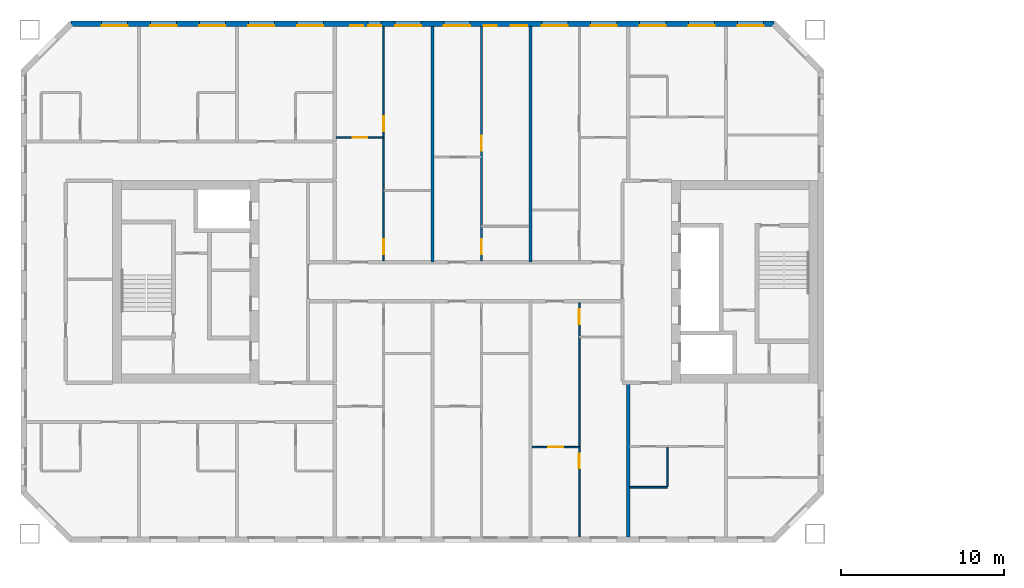
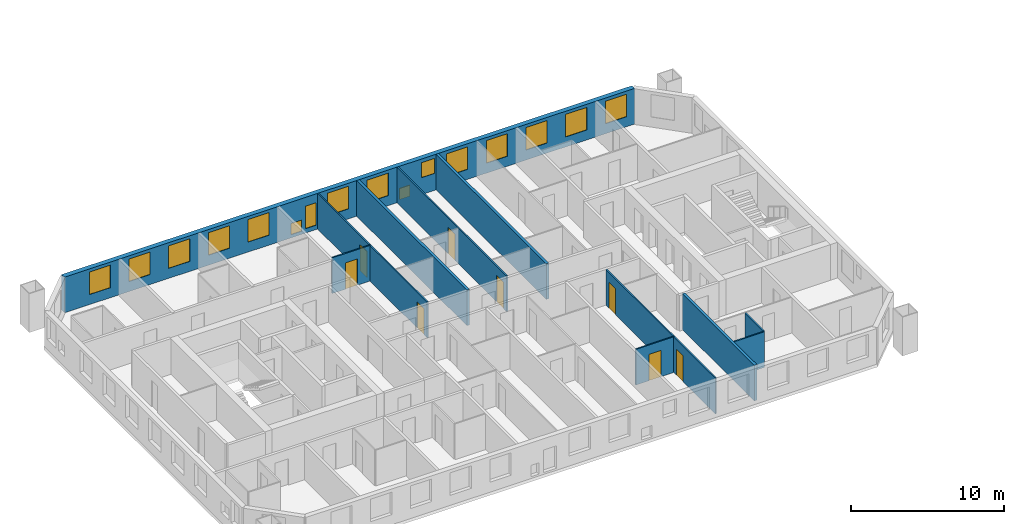
# One storey, part 6 of 16: 16 windows, 11 walls, 8 doors, 24 openings.
"""IFC4 building model written with IfcOpenShell, lengths in metres."""

from ifc_helpers import new_model, si_unit, direction, frame, frame_2d, origin, place, context, subcontext, project, spatial, rectangle, extrude, material, layer, layer_set, type_object, element, fill, save


model = new_model("IFC4")

# Units and contexts
model_context = context("Model", 3, precision=1e-05, world=origin(), true_north=direction((0.0, 1.0)))
body_context = subcontext(model_context, "Body", "Model", "MODEL_VIEW")
ifc_project = project(units=[si_unit("LENGTHUNIT", "METRE"), si_unit("AREAUNIT", "SQUARE_METRE"), si_unit("VOLUMEUNIT", "CUBIC_METRE"), si_unit("PLANEANGLEUNIT", "RADIAN"), si_unit("MASSUNIT", "GRAM", prefix="KILO")], contexts=[model_context])

# Site, building, storey
site_placement = place(None, origin())
site = spatial("IfcSite", under=ifc_project, at=site_placement, CompositionType="ELEMENT")
building_placement = place(site_placement, origin())
building = spatial("IfcBuilding", under=site, at=building_placement, Name="Tuart Gate Housing", CompositionType="ELEMENT")
storey_placement = place(building_placement, frame((0.0, 0.0, 136.10009765625)))
storey = spatial("IfcBuildingStorey", under=building, at=storey_placement, Name="L38", CompositionType="ELEMENT", Elevation=136.10009765625)

# Wall, openings, windows
ifc_material_1 = material(Name="Brick", Category="masonry")
ifc_layer_1 = layer(ifc_material_1, 0.360107421875)
ifc_layer_set_1 = layer_set([ifc_layer_1], Name="Brick pier and spandrel wall 360")
wall_type_1 = type_object("IfcWallType", Name="Brick pier and spandrel wall 360", PredefinedType="STANDARD", material=ifc_layer_set_1)
wall_1_placement = place(storey_placement, frame((72.92529296875, 85.820068359375, 0.0), z_axis=(0.0, 0.0, 1.0), x_axis=(-1.0, 0.0, 0.0)))
wall_1 = element("IfcWall", 1, at=wall_1_placement, inside=storey, type_object=wall_type_1, Name="External wall A-N L38", PredefinedType="STANDARD", context=body_context, shape_type="SweptSolid", body=[
    extrude(rectangle(XDim=43.100830078125, YDim=0.360107421875, at=frame_2d((21.55029296875, 0.0))), origin(), (0.0, 0.0, 1.0), 2.849853515625),
])
opening_1_placement = place(wall_1_placement, frame((0.62548828125, 0.0, 0.800048828125)))
opening_1 = element("IfcOpeningElement", 2, at=opening_1_placement, cuts=wall_1, Name="Opening W1", PredefinedType="OPENING", context=body_context, shape_type="SweptSolid", body=[
    extrude(rectangle(XDim=1.60009765625, YDim=1.800048828125, at=frame_2d((0.800048828125, 0.89990234375))), frame((0.0, 0.18994140625, 0.0), z_axis=(0.0, -1.0, 0.0), x_axis=(1.0, 0.0, 0.0)), (0.0, 0.0, 1.0), 0.380126953125),
])
opening_2_placement = place(wall_1_placement, frame((3.62548828125, 0.0, 0.800048828125)))
opening_2 = element("IfcOpeningElement", 3, at=opening_2_placement, cuts=wall_1, Name="Opening W1", PredefinedType="OPENING", context=body_context, shape_type="SweptSolid", body=[
    extrude(rectangle(XDim=1.60009765625, YDim=1.800048828125, at=frame_2d((0.800048828125, 0.89990234375))), frame((0.0, 0.18994140625, 0.0), z_axis=(0.0, -1.0, 0.0), x_axis=(1.0, 0.0, 0.0)), (0.0, 0.0, 1.0), 0.380126953125),
])
opening_3_placement = place(wall_1_placement, frame((6.62548828125, 0.0, 0.800048828125)))
opening_3 = element("IfcOpeningElement", 4, at=opening_3_placement, cuts=wall_1, Name="Opening W1", PredefinedType="OPENING", context=body_context, shape_type="SweptSolid", body=[
    extrude(rectangle(XDim=1.60009765625, YDim=1.800048828125, at=frame_2d((0.800048828125, 0.89990234375))), frame((0.0, 0.18994140625, 0.0), z_axis=(0.0, -1.0, 0.0), x_axis=(1.0, 0.0, 0.0)), (0.0, 0.0, 1.0), 0.380126953125),
])
opening_4_placement = place(wall_1_placement, frame((9.62548828125, 0.0, 0.800048828125)))
opening_4 = element("IfcOpeningElement", 5, at=opening_4_placement, cuts=wall_1, Name="Opening W1", PredefinedType="OPENING", context=body_context, shape_type="SweptSolid", body=[
    extrude(rectangle(XDim=1.60009765625, YDim=1.800048828125, at=frame_2d((0.800048828125, 0.89990234375))), frame((0.0, 0.18994140625, 0.0), z_axis=(0.0, -1.0, 0.0), x_axis=(1.0, 0.0, 0.0)), (0.0, 0.0, 1.0), 0.380126953125),
])
opening_5_placement = place(wall_1_placement, frame((12.62548828125, 0.0, 0.800048828125)))
opening_5 = element("IfcOpeningElement", 6, at=opening_5_placement, cuts=wall_1, Name="Opening W1", PredefinedType="OPENING", context=body_context, shape_type="SweptSolid", body=[
    extrude(rectangle(XDim=1.60009765625, YDim=1.800048828125, at=frame_2d((0.800048828125, 0.89990234375))), frame((0.0, 0.18994140625, 0.0), z_axis=(0.0, -1.0, 0.0), x_axis=(1.0, 0.0, 0.0)), (0.0, 0.0, 1.0), 0.380126953125),
])
opening_6_placement = place(wall_1_placement, frame((15.12548828125, 0.0, 1.35009765625)))
opening_6 = element("IfcOpeningElement", 7, at=opening_6_placement, cuts=wall_1, Name="Opening W1O", PredefinedType="OPENING", context=body_context, shape_type="SweptSolid", body=[
    extrude(rectangle(XDim=1.0, YDim=1.199951171875, at=frame_2d((0.5, 0.60009765625))), frame((0.0, 0.18994140625, 0.0), z_axis=(0.0, -1.0, 0.0), x_axis=(1.0, 0.0, 0.0)), (0.0, 0.0, 1.0), 0.380126953125),
])
opening_7_placement = place(wall_1_placement, frame((18.62548828125, 0.0, 0.800048828125)))
opening_7 = element("IfcOpeningElement", 8, at=opening_7_placement, cuts=wall_1, Name="Opening W1", PredefinedType="OPENING", context=body_context, shape_type="SweptSolid", body=[
    extrude(rectangle(XDim=1.60009765625, YDim=1.800048828125, at=frame_2d((0.800048828125, 0.89990234375))), frame((0.0, 0.18994140625, 0.0), z_axis=(0.0, -1.0, 0.0), x_axis=(1.0, 0.0, 0.0)), (0.0, 0.0, 1.0), 0.380126953125),
])
opening_8_placement = place(wall_1_placement, frame((21.62548828125, 0.0, 0.800048828125)))
opening_8 = element("IfcOpeningElement", 9, at=opening_8_placement, cuts=wall_1, Name="Opening W1", PredefinedType="OPENING", context=body_context, shape_type="SweptSolid", body=[
    extrude(rectangle(XDim=1.60009765625, YDim=1.800048828125, at=frame_2d((0.800048828125, 0.89990234375))), frame((0.0, 0.18994140625, 0.0), z_axis=(0.0, -1.0, 0.0), x_axis=(1.0, 0.0, 0.0)), (0.0, 0.0, 1.0), 0.380126953125),
])
opening_9_placement = place(wall_1_placement, frame((24.075439453125, 0.0, 0.35009765625)))
opening_9 = element("IfcOpeningElement", 10, at=opening_9_placement, cuts=wall_1, Name="Opening W1D", PredefinedType="OPENING", context=body_context, shape_type="SweptSolid", body=[
    extrude(rectangle(XDim=0.800048828125, YDim=1.800048828125, at=frame_2d((0.39990234375, 0.89990234375))), frame((0.0, 0.18994140625, 0.0), z_axis=(0.0, -1.0, 0.0), x_axis=(1.0, 0.0, 0.0)), (0.0, 0.0, 1.0), 0.380126953125),
])
opening_10_placement = place(wall_1_placement, frame((27.62548828125, 0.0, 0.800048828125)))
opening_10 = element("IfcOpeningElement", 11, at=opening_10_placement, cuts=wall_1, Name="Opening W1", PredefinedType="OPENING", context=body_context, shape_type="SweptSolid", body=[
    extrude(rectangle(XDim=1.60009765625, YDim=1.800048828125, at=frame_2d((0.800048828125, 0.89990234375))), frame((0.0, 0.18994140625, 0.0), z_axis=(0.0, -1.0, 0.0), x_axis=(1.0, 0.0, 0.0)), (0.0, 0.0, 1.0), 0.380126953125),
])
opening_11_placement = place(wall_1_placement, frame((30.62548828125, 0.0, 0.800048828125)))
opening_11 = element("IfcOpeningElement", 12, at=opening_11_placement, cuts=wall_1, Name="Opening W1", PredefinedType="OPENING", context=body_context, shape_type="SweptSolid", body=[
    extrude(rectangle(XDim=1.60009765625, YDim=1.800048828125, at=frame_2d((0.800048828125, 0.89990234375))), frame((0.0, 0.18994140625, 0.0), z_axis=(0.0, -1.0, 0.0), x_axis=(1.0, 0.0, 0.0)), (0.0, 0.0, 1.0), 0.380126953125),
])
opening_12_placement = place(wall_1_placement, frame((33.62548828125, 0.0, 0.800048828125)))
opening_12 = element("IfcOpeningElement", 13, at=opening_12_placement, cuts=wall_1, Name="Opening W1", PredefinedType="OPENING", context=body_context, shape_type="SweptSolid", body=[
    extrude(rectangle(XDim=1.60009765625, YDim=1.800048828125, at=frame_2d((0.800048828125, 0.89990234375))), frame((0.0, 0.18994140625, 0.0), z_axis=(0.0, -1.0, 0.0), x_axis=(1.0, 0.0, 0.0)), (0.0, 0.0, 1.0), 0.380126953125),
])
opening_13_placement = place(wall_1_placement, frame((36.62548828125, 0.0, 0.800048828125)))
opening_13 = element("IfcOpeningElement", 14, at=opening_13_placement, cuts=wall_1, Name="Opening W1", PredefinedType="OPENING", context=body_context, shape_type="SweptSolid", body=[
    extrude(rectangle(XDim=1.60009765625, YDim=1.800048828125, at=frame_2d((0.800048828125, 0.89990234375))), frame((0.0, 0.18994140625, 0.0), z_axis=(0.0, -1.0, 0.0), x_axis=(1.0, 0.0, 0.0)), (0.0, 0.0, 1.0), 0.380126953125),
])
opening_14_placement = place(wall_1_placement, frame((39.62548828125, 0.0, 0.800048828125)))
opening_14 = element("IfcOpeningElement", 15, at=opening_14_placement, cuts=wall_1, Name="Opening W1", PredefinedType="OPENING", context=body_context, shape_type="SweptSolid", body=[
    extrude(rectangle(XDim=1.60009765625, YDim=1.800048828125, at=frame_2d((0.800048828125, 0.89990234375))), frame((0.0, 0.18994140625, 0.0), z_axis=(0.0, -1.0, 0.0), x_axis=(1.0, 0.0, 0.0)), (0.0, 0.0, 1.0), 0.380126953125),
])
opening_15_placement = place(wall_1_placement, frame((16.975341796875, 0.0, 0.14990234375)))
opening_15 = element("IfcOpeningElement", 16, at=opening_15_placement, cuts=wall_1, Name="Opening W1V", PredefinedType="OPENING", context=body_context, shape_type="SweptSolid", body=[
    extrude(rectangle(XDim=0.800048828125, YDim=0.89990234375, at=frame_2d((0.39990234375, 0.449951171875))), frame((0.0, 0.18994140625, 0.0), z_axis=(0.0, -1.0, 0.0), x_axis=(1.0, 0.0, 0.0)), (0.0, 0.0, 1.0), 0.380126953125),
])
opening_16_placement = place(wall_1_placement, frame((25.17529296875, 0.0, 0.25)))
opening_16 = element("IfcOpeningElement", 17, at=opening_16_placement, cuts=wall_1, Name="Opening W1V", PredefinedType="OPENING", context=body_context, shape_type="SweptSolid", body=[
    extrude(rectangle(XDim=0.800048828125, YDim=0.89990234375, at=frame_2d((0.39990234375, 0.449951171875))), frame((0.0, 0.18994140625, 0.0), z_axis=(0.0, -1.0, 0.0), x_axis=(1.0, 0.0, 0.0)), (0.0, 0.0, 1.0), 0.380126953125),
])
ifc_material_2 = material(Name="Aluminium frame with clear glass", Category="aluminium")
window_type_1 = type_object("IfcWindowType", Name="Punched window 1000 x 1200", PartitioningType="SINGLE_PANEL", PredefinedType="WINDOW", material=ifc_material_2)
window_1_placement = place(opening_6_placement, origin())
window_1 = element("IfcWindow", 18, at=window_1_placement, inside=storey, type_object=window_type_1, Name="Window W1O", OverallHeight=1.199951171875, OverallWidth=1.0, PartitioningType="SINGLE_PANEL", PredefinedType="WINDOW", context=body_context, shape_type="SweptSolid", body=[
    extrude(rectangle(XDim=1.0, YDim=1.199951171875, at=frame_2d((0.5, 0.60009765625))), frame((0.0, 0.150146484375, 0.0), z_axis=(0.0, -1.0, 0.0), x_axis=(1.0, 0.0, 0.0)), (0.0, 0.0, 1.0), 0.06005859375),
])
fill(opening_6, window_1)
ifc_material_3 = material(Name="Aluminium frame with clear glass", Category="aluminium")
window_type_2 = type_object("IfcWindowType", Name="Punched window 1600 x 1800", PartitioningType="SINGLE_PANEL", PredefinedType="WINDOW", material=ifc_material_3)
window_2_placement = place(opening_1_placement, origin())
window_2 = element("IfcWindow", 19, at=window_2_placement, inside=storey, type_object=window_type_2, Name="Window W1", OverallHeight=1.800048828125, OverallWidth=1.60009765625, PartitioningType="SINGLE_PANEL", PredefinedType="WINDOW", context=body_context, shape_type="SweptSolid", body=[
    extrude(rectangle(XDim=1.60009765625, YDim=1.800048828125, at=frame_2d((0.800048828125, 0.89990234375))), frame((0.0, 0.150146484375, 0.0), z_axis=(0.0, -1.0, 0.0), x_axis=(1.0, 0.0, 0.0)), (0.0, 0.0, 1.0), 0.06005859375),
])
fill(opening_1, window_2)
window_3_placement = place(opening_2_placement, origin())
window_3 = element("IfcWindow", 20, at=window_3_placement, inside=storey, type_object=window_type_2, Name="Window W1", OverallHeight=1.800048828125, OverallWidth=1.60009765625, PartitioningType="SINGLE_PANEL", PredefinedType="WINDOW", context=body_context, shape_type="SweptSolid", body=[
    extrude(rectangle(XDim=1.60009765625, YDim=1.800048828125, at=frame_2d((0.800048828125, 0.89990234375))), frame((0.0, 0.150146484375, 0.0), z_axis=(0.0, -1.0, 0.0), x_axis=(1.0, 0.0, 0.0)), (0.0, 0.0, 1.0), 0.06005859375),
])
fill(opening_2, window_3)
window_4_placement = place(opening_3_placement, origin())
window_4 = element("IfcWindow", 21, at=window_4_placement, inside=storey, type_object=window_type_2, Name="Window W1", OverallHeight=1.800048828125, OverallWidth=1.60009765625, PartitioningType="SINGLE_PANEL", PredefinedType="WINDOW", context=body_context, shape_type="SweptSolid", body=[
    extrude(rectangle(XDim=1.60009765625, YDim=1.800048828125, at=frame_2d((0.800048828125, 0.89990234375))), frame((0.0, 0.150146484375, 0.0), z_axis=(0.0, -1.0, 0.0), x_axis=(1.0, 0.0, 0.0)), (0.0, 0.0, 1.0), 0.06005859375),
])
fill(opening_3, window_4)
window_5_placement = place(opening_4_placement, origin())
window_5 = element("IfcWindow", 22, at=window_5_placement, inside=storey, type_object=window_type_2, Name="Window W1", OverallHeight=1.800048828125, OverallWidth=1.60009765625, PartitioningType="SINGLE_PANEL", PredefinedType="WINDOW", context=body_context, shape_type="SweptSolid", body=[
    extrude(rectangle(XDim=1.60009765625, YDim=1.800048828125, at=frame_2d((0.800048828125, 0.89990234375))), frame((0.0, 0.150146484375, 0.0), z_axis=(0.0, -1.0, 0.0), x_axis=(1.0, 0.0, 0.0)), (0.0, 0.0, 1.0), 0.06005859375),
])
fill(opening_4, window_5)
window_6_placement = place(opening_5_placement, origin())
window_6 = element("IfcWindow", 23, at=window_6_placement, inside=storey, type_object=window_type_2, Name="Window W1", OverallHeight=1.800048828125, OverallWidth=1.60009765625, PartitioningType="SINGLE_PANEL", PredefinedType="WINDOW", context=body_context, shape_type="SweptSolid", body=[
    extrude(rectangle(XDim=1.60009765625, YDim=1.800048828125, at=frame_2d((0.800048828125, 0.89990234375))), frame((0.0, 0.150146484375, 0.0), z_axis=(0.0, -1.0, 0.0), x_axis=(1.0, 0.0, 0.0)), (0.0, 0.0, 1.0), 0.06005859375),
])
fill(opening_5, window_6)
window_7_placement = place(opening_7_placement, origin())
window_7 = element("IfcWindow", 24, at=window_7_placement, inside=storey, type_object=window_type_2, Name="Window W1", OverallHeight=1.800048828125, OverallWidth=1.60009765625, PartitioningType="SINGLE_PANEL", PredefinedType="WINDOW", context=body_context, shape_type="SweptSolid", body=[
    extrude(rectangle(XDim=1.60009765625, YDim=1.800048828125, at=frame_2d((0.800048828125, 0.89990234375))), frame((0.0, 0.150146484375, 0.0), z_axis=(0.0, -1.0, 0.0), x_axis=(1.0, 0.0, 0.0)), (0.0, 0.0, 1.0), 0.06005859375),
])
fill(opening_7, window_7)
window_8_placement = place(opening_8_placement, origin())
window_8 = element("IfcWindow", 25, at=window_8_placement, inside=storey, type_object=window_type_2, Name="Window W1", OverallHeight=1.800048828125, OverallWidth=1.60009765625, PartitioningType="SINGLE_PANEL", PredefinedType="WINDOW", context=body_context, shape_type="SweptSolid", body=[
    extrude(rectangle(XDim=1.60009765625, YDim=1.800048828125, at=frame_2d((0.800048828125, 0.89990234375))), frame((0.0, 0.150146484375, 0.0), z_axis=(0.0, -1.0, 0.0), x_axis=(1.0, 0.0, 0.0)), (0.0, 0.0, 1.0), 0.06005859375),
])
fill(opening_8, window_8)
window_9_placement = place(opening_10_placement, origin())
window_9 = element("IfcWindow", 26, at=window_9_placement, inside=storey, type_object=window_type_2, Name="Window W1", OverallHeight=1.800048828125, OverallWidth=1.60009765625, PartitioningType="SINGLE_PANEL", PredefinedType="WINDOW", context=body_context, shape_type="SweptSolid", body=[
    extrude(rectangle(XDim=1.60009765625, YDim=1.800048828125, at=frame_2d((0.800048828125, 0.89990234375))), frame((0.0, 0.150146484375, 0.0), z_axis=(0.0, -1.0, 0.0), x_axis=(1.0, 0.0, 0.0)), (0.0, 0.0, 1.0), 0.06005859375),
])
fill(opening_10, window_9)
window_10_placement = place(opening_11_placement, origin())
window_10 = element("IfcWindow", 27, at=window_10_placement, inside=storey, type_object=window_type_2, Name="Window W1", OverallHeight=1.800048828125, OverallWidth=1.60009765625, PartitioningType="SINGLE_PANEL", PredefinedType="WINDOW", context=body_context, shape_type="SweptSolid", body=[
    extrude(rectangle(XDim=1.60009765625, YDim=1.800048828125, at=frame_2d((0.800048828125, 0.89990234375))), frame((0.0, 0.150146484375, 0.0), z_axis=(0.0, -1.0, 0.0), x_axis=(1.0, 0.0, 0.0)), (0.0, 0.0, 1.0), 0.06005859375),
])
fill(opening_11, window_10)
window_11_placement = place(opening_12_placement, origin())
window_11 = element("IfcWindow", 28, at=window_11_placement, inside=storey, type_object=window_type_2, Name="Window W1", OverallHeight=1.800048828125, OverallWidth=1.60009765625, PartitioningType="SINGLE_PANEL", PredefinedType="WINDOW", context=body_context, shape_type="SweptSolid", body=[
    extrude(rectangle(XDim=1.60009765625, YDim=1.800048828125, at=frame_2d((0.800048828125, 0.89990234375))), frame((0.0, 0.150146484375, 0.0), z_axis=(0.0, -1.0, 0.0), x_axis=(1.0, 0.0, 0.0)), (0.0, 0.0, 1.0), 0.06005859375),
])
fill(opening_12, window_11)
window_12_placement = place(opening_13_placement, origin())
window_12 = element("IfcWindow", 29, at=window_12_placement, inside=storey, type_object=window_type_2, Name="Window W1", OverallHeight=1.800048828125, OverallWidth=1.60009765625, PartitioningType="SINGLE_PANEL", PredefinedType="WINDOW", context=body_context, shape_type="SweptSolid", body=[
    extrude(rectangle(XDim=1.60009765625, YDim=1.800048828125, at=frame_2d((0.800048828125, 0.89990234375))), frame((0.0, 0.150146484375, 0.0), z_axis=(0.0, -1.0, 0.0), x_axis=(1.0, 0.0, 0.0)), (0.0, 0.0, 1.0), 0.06005859375),
])
fill(opening_13, window_12)
window_13_placement = place(opening_14_placement, origin())
window_13 = element("IfcWindow", 30, at=window_13_placement, inside=storey, type_object=window_type_2, Name="Window W1", OverallHeight=1.800048828125, OverallWidth=1.60009765625, PartitioningType="SINGLE_PANEL", PredefinedType="WINDOW", context=body_context, shape_type="SweptSolid", body=[
    extrude(rectangle(XDim=1.60009765625, YDim=1.800048828125, at=frame_2d((0.800048828125, 0.89990234375))), frame((0.0, 0.150146484375, 0.0), z_axis=(0.0, -1.0, 0.0), x_axis=(1.0, 0.0, 0.0)), (0.0, 0.0, 1.0), 0.06005859375),
])
fill(opening_14, window_13)
ifc_material_4 = material(Name="Aluminium frame with clear glass", Category="aluminium")
window_type_3 = type_object("IfcWindowType", Name="Punched window 800 x 1800", PartitioningType="SINGLE_PANEL", PredefinedType="WINDOW", material=ifc_material_4)
window_14_placement = place(opening_9_placement, origin())
window_14 = element("IfcWindow", 31, at=window_14_placement, inside=storey, type_object=window_type_3, Name="Window W1D", OverallHeight=1.800048828125, OverallWidth=0.800048828125, PartitioningType="SINGLE_PANEL", PredefinedType="WINDOW", context=body_context, shape_type="SweptSolid", body=[
    extrude(rectangle(XDim=0.800048828125, YDim=1.800048828125, at=frame_2d((0.39990234375, 0.89990234375))), frame((0.0, 0.150146484375, 0.0), z_axis=(0.0, -1.0, 0.0), x_axis=(1.0, 0.0, 0.0)), (0.0, 0.0, 1.0), 0.06005859375),
])
fill(opening_9, window_14)
ifc_material_5 = material(Name="Aluminium frame with clear glass", Category="aluminium")
window_type_4 = type_object("IfcWindowType", Name="Punched window 800 x 900", PartitioningType="SINGLE_PANEL", PredefinedType="WINDOW", material=ifc_material_5)
window_15_placement = place(opening_15_placement, origin())
window_15 = element("IfcWindow", 32, at=window_15_placement, inside=storey, type_object=window_type_4, Name="Window W1V", OverallHeight=0.89990234375, OverallWidth=0.800048828125, PartitioningType="SINGLE_PANEL", PredefinedType="WINDOW", context=body_context, shape_type="SweptSolid", body=[
    extrude(rectangle(XDim=0.800048828125, YDim=0.89990234375, at=frame_2d((0.39990234375, 0.449951171875))), frame((0.0, 0.150146484375, 0.0), z_axis=(0.0, -1.0, 0.0), x_axis=(1.0, 0.0, 0.0)), (0.0, 0.0, 1.0), 0.06005859375),
])
fill(opening_15, window_15)
window_16_placement = place(opening_16_placement, origin())
window_16 = element("IfcWindow", 33, at=window_16_placement, inside=storey, type_object=window_type_4, Name="Window W1V", OverallHeight=0.89990234375, OverallWidth=0.800048828125, PartitioningType="SINGLE_PANEL", PredefinedType="WINDOW", context=body_context, shape_type="SweptSolid", body=[
    extrude(rectangle(XDim=0.800048828125, YDim=0.89990234375, at=frame_2d((0.39990234375, 0.449951171875))), frame((0.0, 0.150146484375, 0.0), z_axis=(0.0, -1.0, 0.0), x_axis=(1.0, 0.0, 0.0)), (0.0, 0.0, 1.0), 0.06005859375),
])
fill(opening_16, window_16)

# Wall
ifc_material_6 = material(Name="Gypsum board on steel studs", Category="steel")
ifc_layer_2 = layer(ifc_material_6, 0.10009765625)
ifc_layer_set_2 = layer_set([ifc_layer_2], Name="Partition 100")
wall_type_2 = type_object("IfcWallType", Name="Partition 100", PredefinedType="PARTITIONING", material=ifc_layer_set_2)
wall_2_placement = place(storey_placement, frame((64.10009765625, 57.39990234375, 0.0), z_axis=(0.0, 0.0, 1.0), x_axis=(1.0, 0.0, 0.0)))
element("IfcWall", 34, at=wall_2_placement, inside=storey, type_object=wall_type_2, Name="Partition 100", PredefinedType="PARTITIONING", context=body_context, shape_type="SweptSolid", body=[
    extrude(rectangle(XDim=2.2998046875, YDim=0.10009765625, at=frame_2d((1.14990234375, 0.0))), origin(), (0.0, 0.0, 1.0), 2.849853515625),
])

# Wall, opening, door
wall_3_placement = place(storey_placement, frame((58.10009765625, 59.860107421875, 0.0), z_axis=(0.0, 0.0, 1.0), x_axis=(1.0, 0.0, 0.0)))
wall_3 = element("IfcWall", 35, at=wall_3_placement, inside=storey, type_object=wall_type_2, Name="Partition 100", PredefinedType="PARTITIONING", context=body_context, shape_type="SweptSolid", body=[
    extrude(rectangle(XDim=2.89990234375, YDim=0.10009765625, at=frame_2d((1.449951171875, 0.0))), origin(), (0.0, 0.0, 1.0), 2.849853515625),
])
opening_17_placement = place(wall_3_placement, frame((1.0, 0.0, 0.0)))
opening_17 = element("IfcOpeningElement", 36, at=opening_17_placement, cuts=wall_3, Name="Opening D1461", PredefinedType="OPENING", context=body_context, shape_type="SweptSolid", body=[
    extrude(rectangle(XDim=0.89990234375, YDim=2.10009765625, at=frame_2d((0.449951171875, 1.050048828125))), frame((0.0, 0.06005859375, 0.0), z_axis=(0.0, -1.0, 0.0), x_axis=(1.0, 0.0, 0.0)), (0.0, 0.0, 1.0), 0.1201171875),
])
ifc_material_7 = material(Name="Timber door leaf in steel frame", Category="steel")
door_type_1 = type_object("IfcDoorType", Name="Internal door 900 RH", OperationType="SINGLE_SWING_RIGHT", PredefinedType="DOOR", material=ifc_material_7)
door_1_placement = place(opening_17_placement, origin())
door_1 = element("IfcDoor", 37, at=door_1_placement, inside=storey, type_object=door_type_1, Name="Internal door", OperationType="SINGLE_SWING_RIGHT", OverallHeight=2.10009765625, OverallWidth=0.89990234375, PredefinedType="DOOR", context=body_context, shape_type="SweptSolid", body=[
    extrude(rectangle(XDim=0.89990234375, YDim=2.10009765625, at=frame_2d((0.449951171875, 1.050048828125))), frame((0.0, 0.02490234375, 0.0), z_axis=(0.0, -1.0, 0.0), x_axis=(1.0, 0.0, 0.0)), (0.0, 0.0, 1.0), 0.050048828125),
])
fill(opening_17, door_1)

wall_4_placement = place(storey_placement, frame((46.10009765625, 78.840087890625, 0.0), z_axis=(0.0, 0.0, 1.0), x_axis=(1.0, 0.0, 0.0)))
wall_4 = element("IfcWall", 38, at=wall_4_placement, inside=storey, type_object=wall_type_2, Name="Partition 100", PredefinedType="PARTITIONING", context=body_context, shape_type="SweptSolid", body=[
    extrude(rectangle(XDim=2.89990234375, YDim=0.10009765625, at=frame_2d((1.449951171875, 0.0))), origin(), (0.0, 0.0, 1.0), 2.849853515625),
])
opening_18_placement = place(wall_4_placement, frame((1.0, 0.0, 0.0)))
opening_18 = element("IfcOpeningElement", 39, at=opening_18_placement, cuts=wall_4, Name="Opening D1409", PredefinedType="OPENING", context=body_context, shape_type="SweptSolid", body=[
    extrude(rectangle(XDim=0.89990234375, YDim=2.10009765625, at=frame_2d((0.449951171875, 1.050048828125))), frame((0.0, 0.06005859375, 0.0), z_axis=(0.0, -1.0, 0.0), x_axis=(1.0, 0.0, 0.0)), (0.0, 0.0, 1.0), 0.1201171875),
])
ifc_material_8 = material(Name="Timber door leaf in steel frame", Category="steel")
door_type_2 = type_object("IfcDoorType", Name="Internal door 900", OperationType="SINGLE_SWING_LEFT", PredefinedType="DOOR", material=ifc_material_8)
door_2_placement = place(opening_18_placement, frame((0.89990234375, 0.0, 0.0), z_axis=(0.0, 0.0, 1.0), x_axis=(-1.0, 0.0, 0.0)))
door_2 = element("IfcDoor", 40, at=door_2_placement, inside=storey, type_object=door_type_2, Name="Internal door", OperationType="SINGLE_SWING_LEFT", OverallHeight=2.10009765625, OverallWidth=0.89990234375, PredefinedType="DOOR", context=body_context, shape_type="SweptSolid", body=[
    extrude(rectangle(XDim=0.89990234375, YDim=2.10009765625, at=frame_2d((0.449951171875, 1.050048828125))), frame((0.0, 0.025146484375, 0.0), z_axis=(0.0, -1.0, 0.0), x_axis=(1.0, 0.0, 0.0)), (0.0, 0.0, 1.0), 0.050048828125),
])
fill(opening_18, door_2)

# Wall, openings, doors
wall_5_placement = place(storey_placement, frame((49.0, 71.300048828125, 0.0), z_axis=(0.0, 0.0, 1.0), x_axis=(0.0, 1.0, 0.0)))
wall_5 = element("IfcWall", 41, at=wall_5_placement, inside=storey, type_object=wall_type_2, Name="Partition 100", PredefinedType="PARTITIONING", context=body_context, shape_type="SweptSolid", body=[
    extrude(rectangle(XDim=14.33984375, YDim=0.10009765625, at=frame_2d((7.169921875, 0.0))), origin(), (0.0, 0.0, 1.0), 2.849853515625),
])
opening_19_placement = place(wall_5_placement, frame((7.93994140625, 0.0, 0.0)))
opening_19 = element("IfcOpeningElement", 42, at=opening_19_placement, cuts=wall_5, Name="Opening D1415", PredefinedType="OPENING", context=body_context, shape_type="SweptSolid", body=[
    extrude(rectangle(XDim=0.89990234375, YDim=2.10009765625, at=frame_2d((0.449951171875, 1.050048828125))), frame((0.0, 0.06005859375, 0.0), z_axis=(0.0, -1.0, 0.0), x_axis=(1.0, 0.0, 0.0)), (0.0, 0.0, 1.0), 0.1201171875),
])
opening_20_placement = place(wall_5_placement, frame((0.39990234375, 0.0, 0.0)))
opening_20 = element("IfcOpeningElement", 43, at=opening_20_placement, cuts=wall_5, Name="Opening D1414", PredefinedType="OPENING", context=body_context, shape_type="SweptSolid", body=[
    extrude(rectangle(XDim=0.89990234375, YDim=2.10009765625, at=frame_2d((0.449951171875, 1.050048828125))), frame((0.0, 0.06005859375, 0.0), z_axis=(0.0, -1.0, 0.0), x_axis=(1.0, 0.0, 0.0)), (0.0, 0.0, 1.0), 0.1201171875),
])
ifc_material_9 = material(Name="Timber door leaf in steel frame", Category="steel")
door_type_3 = type_object("IfcDoorType", Name="Bathroom door 900 RH", OperationType="SINGLE_SWING_RIGHT", PredefinedType="DOOR", material=ifc_material_9)
door_3_placement = place(opening_20_placement, frame((0.89990234375, 0.0, 0.0), z_axis=(0.0, 0.0, 1.0), x_axis=(-1.0, 0.0, 0.0)))
door_3 = element("IfcDoor", 44, at=door_3_placement, inside=storey, type_object=door_type_3, Name="Bathroom door", OperationType="SINGLE_SWING_RIGHT", OverallHeight=2.10009765625, OverallWidth=0.89990234375, PredefinedType="DOOR", context=body_context, shape_type="SweptSolid", body=[
    extrude(rectangle(XDim=0.89990234375, YDim=2.10009765625, at=frame_2d((0.449951171875, 1.050048828125))), frame((0.0, 0.025146484375, 0.0), z_axis=(0.0, -1.0, 0.0), x_axis=(1.0, 0.0, 0.0)), (0.0, 0.0, 1.0), 0.050048828125),
])
fill(opening_20, door_3)
door_4_placement = place(opening_19_placement, frame((0.89990234375, 0.0, 0.0), z_axis=(0.0, 0.0, 1.0), x_axis=(-1.0, 0.0, 0.0)))
door_4 = element("IfcDoor", 45, at=door_4_placement, inside=storey, type_object=door_type_1, Name="Internal door", OperationType="SINGLE_SWING_RIGHT", OverallHeight=2.10009765625, OverallWidth=0.89990234375, PredefinedType="DOOR", context=body_context, shape_type="SweptSolid", body=[
    extrude(rectangle(XDim=0.89990234375, YDim=2.10009765625, at=frame_2d((0.449951171875, 1.050048828125))), frame((0.0, 0.025146484375, 0.0), z_axis=(0.0, -1.0, 0.0), x_axis=(1.0, 0.0, 0.0)), (0.0, 0.0, 1.0), 0.050048828125),
])
fill(opening_19, door_4)

wall_6_placement = place(storey_placement, frame((55.0, 71.300048828125, 0.0), z_axis=(0.0, 0.0, 1.0), x_axis=(0.0, 1.0, 0.0)))
wall_6 = element("IfcWall", 46, at=wall_6_placement, inside=storey, type_object=wall_type_2, Name="Partition 100", PredefinedType="PARTITIONING", context=body_context, shape_type="SweptSolid", body=[
    extrude(rectangle(XDim=14.33984375, YDim=0.10009765625, at=frame_2d((7.169921875, 0.0))), origin(), (0.0, 0.0, 1.0), 2.849853515625),
])
opening_21_placement = place(wall_6_placement, frame((6.739990234375, 0.0, 0.0)))
opening_21 = element("IfcOpeningElement", 47, at=opening_21_placement, cuts=wall_6, Name="Opening D1417", PredefinedType="OPENING", context=body_context, shape_type="SweptSolid", body=[
    extrude(rectangle(XDim=0.89990234375, YDim=2.10009765625, at=frame_2d((0.449951171875, 1.050048828125))), frame((0.0, 0.06005859375, 0.0), z_axis=(0.0, -1.0, 0.0), x_axis=(1.0, 0.0, 0.0)), (0.0, 0.0, 1.0), 0.1201171875),
])
opening_22_placement = place(wall_6_placement, frame((0.39990234375, 0.0, 0.0)))
opening_22 = element("IfcOpeningElement", 48, at=opening_22_placement, cuts=wall_6, Name="Opening D1416", PredefinedType="OPENING", context=body_context, shape_type="SweptSolid", body=[
    extrude(rectangle(XDim=0.89990234375, YDim=2.10009765625, at=frame_2d((0.449951171875, 1.050048828125))), frame((0.0, 0.06005859375, 0.0), z_axis=(0.0, -1.0, 0.0), x_axis=(1.0, 0.0, 0.0)), (0.0, 0.0, 1.0), 0.1201171875),
])
door_5_placement = place(opening_22_placement, frame((0.89990234375, 0.0, 0.0), z_axis=(0.0, 0.0, 1.0), x_axis=(-1.0, 0.0, 0.0)))
door_5 = element("IfcDoor", 49, at=door_5_placement, inside=storey, type_object=door_type_3, Name="Bathroom door", OperationType="SINGLE_SWING_RIGHT", OverallHeight=2.10009765625, OverallWidth=0.89990234375, PredefinedType="DOOR", context=body_context, shape_type="SweptSolid", body=[
    extrude(rectangle(XDim=0.89990234375, YDim=2.10009765625, at=frame_2d((0.449951171875, 1.050048828125))), frame((0.0, 0.025146484375, 0.0), z_axis=(0.0, -1.0, 0.0), x_axis=(1.0, 0.0, 0.0)), (0.0, 0.0, 1.0), 0.050048828125),
])
fill(opening_22, door_5)
door_6_placement = place(opening_21_placement, frame((0.89990234375, 0.0, 0.0), z_axis=(0.0, 0.0, 1.0), x_axis=(-1.0, 0.0, 0.0)))
door_6 = element("IfcDoor", 50, at=door_6_placement, inside=storey, type_object=door_type_1, Name="Internal door", OperationType="SINGLE_SWING_RIGHT", OverallHeight=2.10009765625, OverallWidth=0.89990234375, PredefinedType="DOOR", context=body_context, shape_type="SweptSolid", body=[
    extrude(rectangle(XDim=0.89990234375, YDim=2.10009765625, at=frame_2d((0.449951171875, 1.050048828125))), frame((0.0, 0.025146484375, 0.0), z_axis=(0.0, -1.0, 0.0), x_axis=(1.0, 0.0, 0.0)), (0.0, 0.0, 1.0), 0.050048828125),
])
fill(opening_21, door_6)

wall_7_placement = place(storey_placement, frame((61.0, 54.360107421875, 0.0), z_axis=(0.0, 0.0, 1.0), x_axis=(0.0, 1.0, 0.0)))
wall_7 = element("IfcWall", 51, at=wall_7_placement, inside=storey, type_object=wall_type_2, Name="Partition 100", PredefinedType="PARTITIONING", context=body_context, shape_type="SweptSolid", body=[
    extrude(rectangle(XDim=14.33984375, YDim=0.10009765625, at=frame_2d((7.169921875, 0.0))), origin(), (0.0, 0.0, 1.0), 2.849853515625),
])
opening_23_placement = place(wall_7_placement, frame((4.199951171875, 0.0, 0.0)))
opening_23 = element("IfcOpeningElement", 52, at=opening_23_placement, cuts=wall_7, Name="Opening D1452", PredefinedType="OPENING", context=body_context, shape_type="SweptSolid", body=[
    extrude(rectangle(XDim=0.89990234375, YDim=2.10009765625, at=frame_2d((0.449951171875, 1.050048828125))), frame((0.0, 0.06005859375, 0.0), z_axis=(0.0, -1.0, 0.0), x_axis=(1.0, 0.0, 0.0)), (0.0, 0.0, 1.0), 0.1201171875),
])
opening_24_placement = place(wall_7_placement, frame((13.0400390625, 0.0, 0.0)))
opening_24 = element("IfcOpeningElement", 53, at=opening_24_placement, cuts=wall_7, Name="Opening D1451", PredefinedType="OPENING", context=body_context, shape_type="SweptSolid", body=[
    extrude(rectangle(XDim=0.89990234375, YDim=2.10009765625, at=frame_2d((0.449951171875, 1.050048828125))), frame((0.0, 0.06005859375, 0.0), z_axis=(0.0, -1.0, 0.0), x_axis=(1.0, 0.0, 0.0)), (0.0, 0.0, 1.0), 0.1201171875),
])
ifc_material_10 = material(Name="Timber door leaf in steel frame", Category="steel")
door_type_4 = type_object("IfcDoorType", Name="Bathroom door 900", OperationType="SINGLE_SWING_LEFT", PredefinedType="DOOR", material=ifc_material_10)
door_7_placement = place(opening_24_placement, frame((0.89990234375, 0.0, 0.0), z_axis=(0.0, 0.0, 1.0), x_axis=(-1.0, 0.0, 0.0)))
door_7 = element("IfcDoor", 54, at=door_7_placement, inside=storey, type_object=door_type_4, Name="Bathroom door", OperationType="SINGLE_SWING_LEFT", OverallHeight=2.10009765625, OverallWidth=0.89990234375, PredefinedType="DOOR", context=body_context, shape_type="SweptSolid", body=[
    extrude(rectangle(XDim=0.89990234375, YDim=2.10009765625, at=frame_2d((0.449951171875, 1.050048828125))), frame((0.0, 0.025146484375, 0.0), z_axis=(0.0, -1.0, 0.0), x_axis=(1.0, 0.0, 0.0)), (0.0, 0.0, 1.0), 0.050048828125),
])
fill(opening_24, door_7)
door_8_placement = place(opening_23_placement, frame((0.89990234375, 0.0, 0.0), z_axis=(0.0, 0.0, 1.0), x_axis=(-1.0, 0.0, 0.0)))
door_8 = element("IfcDoor", 55, at=door_8_placement, inside=storey, type_object=door_type_1, Name="Internal door", OperationType="SINGLE_SWING_RIGHT", OverallHeight=2.10009765625, OverallWidth=0.89990234375, PredefinedType="DOOR", context=body_context, shape_type="SweptSolid", body=[
    extrude(rectangle(XDim=0.89990234375, YDim=2.10009765625, at=frame_2d((0.449951171875, 1.050048828125))), frame((0.0, 0.025146484375, 0.0), z_axis=(0.0, -1.0, 0.0), x_axis=(1.0, 0.0, 0.0)), (0.0, 0.0, 1.0), 0.050048828125),
])
fill(opening_23, door_8)

# Walls
wall_8_placement = place(storey_placement, frame((66.39990234375, 57.449951171875, 0.0), z_axis=(0.0, 0.0, 1.0), x_axis=(0.0, 1.0, 0.0)))
element("IfcWall", 56, at=wall_8_placement, inside=storey, type_object=wall_type_2, Name="Partition 100", PredefinedType="PARTITIONING", context=body_context, shape_type="SweptSolid", body=[
    extrude(rectangle(XDim=2.400146484375, YDim=0.10009765625, at=frame_2d((1.2001953125, 0.0))), origin(), (0.0, 0.0, 1.0), 2.849853515625),
])
ifc_material_11 = material(Name="Concrete C40", Category="concrete")
ifc_layer_3 = layer(ifc_material_11, 0.199951171875)
ifc_layer_set_3 = layer_set([ifc_layer_3], Name="Party wall concrete C40 200")
wall_type_3 = type_object("IfcWallType", Name="Party wall concrete C40 200", PredefinedType="SOLIDWALL", material=ifc_layer_set_3)
for number, where, z_axis, x_axis, name in (
    (57, (52.0, 71.199951171875, 0.0), (0.0, 0.0, 1.0), (0.0, 1.0, 0.0), "Party wall concrete C40 200"),
    (58, (58.0, 71.199951171875, 0.0), (0.0, 0.0, 1.0), (0.0, 1.0, 0.0), "Party wall concrete C40 200"),
):
    element("IfcWall", number, at=place(storey_placement, frame(where, z_axis=z_axis, x_axis=x_axis)), inside=storey, type_object=wall_type_3, Name=name, PredefinedType="SOLIDWALL", context=body_context, shape_type="SweptSolid", body=[
        extrude(rectangle(XDim=14.43994140625, YDim=0.199951171875, at=frame_2d((7.219970703125, 0.0))), origin(), (0.0, 0.0, 1.0), 2.849853515625),
    ])
wall_9_placement = place(storey_placement, frame((64.0, 54.360107421875, 0.0), z_axis=(0.0, 0.0, 1.0), x_axis=(0.0, 1.0, 0.0)))
element("IfcWall", 59, at=wall_9_placement, inside=storey, type_object=wall_type_3, Name="Party wall concrete C40 200", PredefinedType="SOLIDWALL", context=body_context, shape_type="SweptSolid", body=[
    extrude(rectangle(XDim=9.43994140625, YDim=0.199951171875, at=frame_2d((4.719970703125, 0.0))), origin(), (0.0, 0.0, 1.0), 2.849853515625),
])

save(model, "model.ifc")
